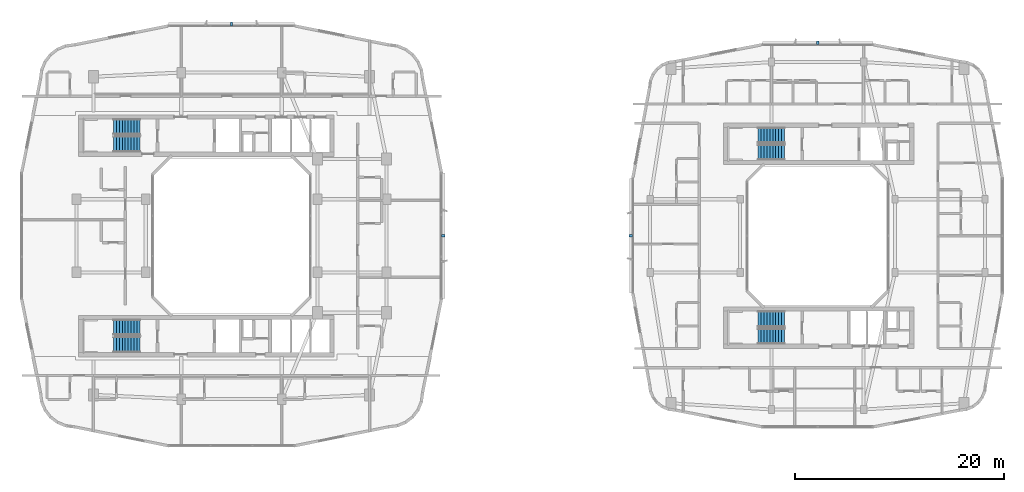
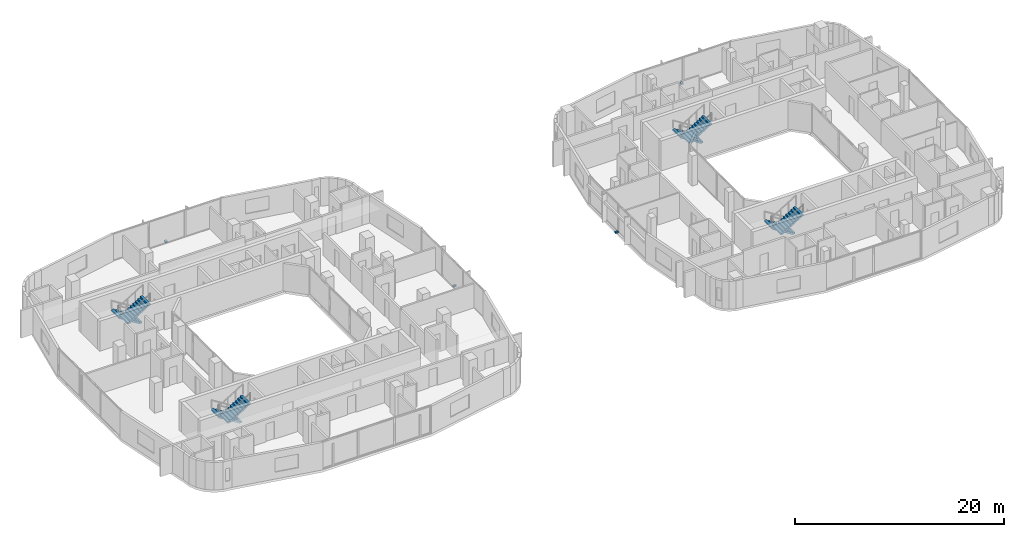
# One storey, part 21 of 26: 8 stair flights, 4 discrete accessories, 4 elements without a shape of their own.
"""IFC4 building model written with IfcOpenShell, lengths in metres."""

from ifc_helpers import new_model, si_unit, derived_unit, direction, frame, origin, origin_2d, place, context, subcontext, project, spatial, polyline, rectangle, outline, extrude, material, type_object, element, aggregate, save


model = new_model("IFC4")

# Units and contexts
model_context = context("Model", 3, precision=1e-05, world=origin(), true_north=direction((0.0, 1.0)))
body_context = subcontext(model_context, "Body", "Model", "MODEL_VIEW")
ifc_project = project(units=[si_unit("LENGTHUNIT", "METRE"), si_unit("AREAUNIT", "SQUARE_METRE"), si_unit("VOLUMEUNIT", "CUBIC_METRE"), si_unit("PLANEANGLEUNIT", "RADIAN"), si_unit("MASSUNIT", "GRAM", prefix="KILO"), derived_unit("THERMALTRANSMITTANCEUNIT", [(si_unit("POWERUNIT", "WATT"), 1), (si_unit("LENGTHUNIT", "METRE"), -2), (si_unit("THERMODYNAMICTEMPERATUREUNIT", "KELVIN"), -1)])], contexts=[model_context])

# Site, building, storey
site_placement = place(None, origin())
site = spatial("IfcSite", under=ifc_project, at=site_placement, CompositionType="ELEMENT")
building_placement = place(site_placement, origin())
building = spatial("IfcBuilding", under=site, at=building_placement, Name="Kivonza Crest Hotel", CompositionType="ELEMENT")
storey_placement = place(building_placement, frame((0.0, 0.0, 102.0)))
storey = spatial("IfcBuildingStorey", under=building, at=storey_placement, Name="L27", CompositionType="ELEMENT", Elevation=102.0)

# Stair, stair flights
ifc_material_1 = material(Name="Concrete C40/50", Category="concrete")
stair_type = type_object("IfcStairType", Name="ST-DL-20R", PredefinedType="HALF_TURN_STAIR", material=ifc_material_1)
stair_1_placement = place(storey_placement, origin())
stair_1 = element("IfcStair", 1, at=stair_1_placement, inside=storey, type_object=stair_type, Name="L27 Protected Exit Stair ST-T1-N", PredefinedType="HALF_TURN_STAIR")
stair_flight_type = type_object("IfcStairFlightType", Name="SFL-RC-10R", PredefinedType="STRAIGHT", material=ifc_material_1)
stair_flight_1_placement = place(storey_placement, frame((12.239990234375, 35.409912109375, 0.0), z_axis=(0.0, 0.0, 1.0), x_axis=(-1.0, 0.0, 0.0)))
stair_flight_1 = element("IfcStairFlight", 2, at=stair_flight_1_placement, type_object=stair_flight_type, Name="ST-T1-N flight 1", NumberOfRisers=10, NumberOfTreads=9, PredefinedType="STRAIGHT", RiserHeight=0.175, TreadLength=0.28, context=body_context, shape_type="SweptSolid", body=[
    extrude(outline(polyline([(0.0, 0.0), (0.0, 0.175048828125), (0.280029296875, 0.175048828125), (0.280029296875, 0.35009765625), (0.56005859375, 0.35009765625), (0.56005859375, 0.52490234375), (0.840087890625, 0.52490234375), (0.840087890625, 0.699951171875), (1.1201171875, 0.699951171875), (1.1201171875, 0.875), (1.39990234375, 0.875), (1.39990234375, 1.050048828125), (1.679931640625, 1.050048828125), (1.679931640625, 1.22509765625), (1.9599609375, 1.22509765625), (1.9599609375, 1.39990234375), (2.239990234375, 1.39990234375), (2.239990234375, 1.574951171875), (2.52001953125, 1.574951171875), (2.52001953125, 1.75), (2.52001953125, 1.398193359375), (0.28271484375, 0.0), (0.0, 0.0)])), frame((0.0, 0.75, 0.0), z_axis=(0.0, -1.0, 0.0), x_axis=(1.0, 0.0, 0.0)), (0.0, 0.0, 1.0), 1.5),
])
stair_flight_2_placement = place(storey_placement, frame((9.719970703125, 33.77001953125, 1.75), z_axis=(0.0, 0.0, 1.0), x_axis=(1.0, 0.0, 0.0)))
stair_flight_2 = element("IfcStairFlight", 3, at=stair_flight_2_placement, type_object=stair_flight_type, Name="ST-T1-N flight 2", NumberOfRisers=10, NumberOfTreads=9, PredefinedType="STRAIGHT", RiserHeight=0.175, TreadLength=0.28, context=body_context, shape_type="SweptSolid", body=[
    extrude(outline(polyline([(0.0, 0.0), (0.0, 0.175048828125), (0.280029296875, 0.175048828125), (0.280029296875, 0.35009765625), (0.56005859375, 0.35009765625), (0.56005859375, 0.52490234375), (0.840087890625, 0.52490234375), (0.840087890625, 0.699951171875), (1.1201171875, 0.699951171875), (1.1201171875, 0.875), (1.39990234375, 0.875), (1.39990234375, 1.050048828125), (1.679931640625, 1.050048828125), (1.679931640625, 1.22509765625), (1.9599609375, 1.22509765625), (1.9599609375, 1.39990234375), (2.239990234375, 1.39990234375), (2.239990234375, 1.574951171875), (2.52001953125, 1.574951171875), (2.52001953125, 1.75), (2.52001953125, 1.398193359375), (0.28271484375, 0.0), (0.0, 0.0)])), frame((0.0, 0.75, 0.0), z_axis=(0.0, -1.0, 0.0), x_axis=(1.0, 0.0, 0.0)), (0.0, 0.0, 1.0), 1.5),
])
aggregate(stair_1, [stair_flight_1, stair_flight_2])

stair_2_placement = place(storey_placement, origin())
stair_2 = element("IfcStair", 4, at=stair_2_placement, inside=storey, type_object=stair_type, Name="L27 Protected Exit Stair ST-T1-S", PredefinedType="HALF_TURN_STAIR")
stair_flight_3_placement = place(storey_placement, frame((12.239990234375, 16.25, 0.0), z_axis=(0.0, 0.0, 1.0), x_axis=(-1.0, 0.0, 0.0)))
stair_flight_3 = element("IfcStairFlight", 5, at=stair_flight_3_placement, type_object=stair_flight_type, Name="ST-T1-S flight 1", NumberOfRisers=10, NumberOfTreads=9, PredefinedType="STRAIGHT", RiserHeight=0.175, TreadLength=0.28, context=body_context, shape_type="SweptSolid", body=[
    extrude(outline(polyline([(0.0, 0.0), (0.0, 0.175048828125), (0.280029296875, 0.175048828125), (0.280029296875, 0.35009765625), (0.56005859375, 0.35009765625), (0.56005859375, 0.52490234375), (0.840087890625, 0.52490234375), (0.840087890625, 0.699951171875), (1.1201171875, 0.699951171875), (1.1201171875, 0.875), (1.39990234375, 0.875), (1.39990234375, 1.050048828125), (1.679931640625, 1.050048828125), (1.679931640625, 1.22509765625), (1.9599609375, 1.22509765625), (1.9599609375, 1.39990234375), (2.239990234375, 1.39990234375), (2.239990234375, 1.574951171875), (2.52001953125, 1.574951171875), (2.52001953125, 1.75), (2.52001953125, 1.398193359375), (0.28271484375, 0.0), (0.0, 0.0)])), frame((0.0, 0.75, 0.0), z_axis=(0.0, -1.0, 0.0), x_axis=(1.0, 0.0, 0.0)), (0.0, 0.0, 1.0), 1.5),
])
stair_flight_4_placement = place(storey_placement, frame((9.719970703125, 14.610107421875, 1.75), z_axis=(0.0, 0.0, 1.0), x_axis=(1.0, 0.0, 0.0)))
stair_flight_4 = element("IfcStairFlight", 6, at=stair_flight_4_placement, type_object=stair_flight_type, Name="ST-T1-S flight 2", NumberOfRisers=10, NumberOfTreads=9, PredefinedType="STRAIGHT", RiserHeight=0.175, TreadLength=0.28, context=body_context, shape_type="SweptSolid", body=[
    extrude(outline(polyline([(0.0, 0.0), (0.0, 0.175048828125), (0.280029296875, 0.175048828125), (0.280029296875, 0.35009765625), (0.56005859375, 0.35009765625), (0.56005859375, 0.52490234375), (0.840087890625, 0.52490234375), (0.840087890625, 0.699951171875), (1.1201171875, 0.699951171875), (1.1201171875, 0.875), (1.39990234375, 0.875), (1.39990234375, 1.050048828125), (1.679931640625, 1.050048828125), (1.679931640625, 1.22509765625), (1.9599609375, 1.22509765625), (1.9599609375, 1.39990234375), (2.239990234375, 1.39990234375), (2.239990234375, 1.574951171875), (2.52001953125, 1.574951171875), (2.52001953125, 1.75), (2.52001953125, 1.398193359375), (0.28271484375, 0.0), (0.0, 0.0)])), frame((0.0, 0.75, 0.0), z_axis=(0.0, -1.0, 0.0), x_axis=(1.0, 0.0, 0.0)), (0.0, 0.0, 1.0), 1.5),
])
aggregate(stair_2, [stair_flight_3, stair_flight_4])

stair_3_placement = place(storey_placement, origin())
stair_3 = element("IfcStair", 7, at=stair_3_placement, inside=storey, type_object=stair_type, Name="L27 Protected Exit Stair ST-T2-N", PredefinedType="HALF_TURN_STAIR")
stair_flight_5_placement = place(storey_placement, frame((73.840087890625, 34.610107421875, 0.0), z_axis=(0.0, 0.0, 1.0), x_axis=(-1.0, 0.0, 0.0)))
stair_flight_5 = element("IfcStairFlight", 8, at=stair_flight_5_placement, type_object=stair_flight_type, Name="ST-T2-N flight 1", NumberOfRisers=10, NumberOfTreads=9, PredefinedType="STRAIGHT", RiserHeight=0.175, TreadLength=0.28, context=body_context, shape_type="SweptSolid", body=[
    extrude(outline(polyline([(0.0, 0.0), (0.0, 0.175048828125), (0.280029296875, 0.175048828125), (0.280029296875, 0.35009765625), (0.56005859375, 0.35009765625), (0.56005859375, 0.52490234375), (0.840087890625, 0.52490234375), (0.840087890625, 0.699951171875), (1.1201171875, 0.699951171875), (1.1201171875, 0.875), (1.39990234375, 0.875), (1.39990234375, 1.050048828125), (1.679931640625, 1.050048828125), (1.679931640625, 1.22509765625), (1.9599609375, 1.22509765625), (1.9599609375, 1.39990234375), (2.239990234375, 1.39990234375), (2.239990234375, 1.574951171875), (2.52001953125, 1.574951171875), (2.52001953125, 1.75), (2.52001953125, 1.398193359375), (0.28271484375, 0.0), (0.0, 0.0)])), frame((0.0, 0.75, 0.0), z_axis=(0.0, -1.0, 0.0), x_axis=(1.0, 0.0, 0.0)), (0.0, 0.0, 1.0), 1.5),
])
stair_flight_6_placement = place(storey_placement, frame((71.320068359375, 32.969970703125, 1.75), z_axis=(0.0, 0.0, 1.0), x_axis=(1.0, 0.0, 0.0)))
stair_flight_6 = element("IfcStairFlight", 9, at=stair_flight_6_placement, type_object=stair_flight_type, Name="ST-T2-N flight 2", NumberOfRisers=10, NumberOfTreads=9, PredefinedType="STRAIGHT", RiserHeight=0.175, TreadLength=0.28, context=body_context, shape_type="SweptSolid", body=[
    extrude(outline(polyline([(0.0, 0.0), (0.0, 0.175048828125), (0.280029296875, 0.175048828125), (0.280029296875, 0.35009765625), (0.56005859375, 0.35009765625), (0.56005859375, 0.52490234375), (0.840087890625, 0.52490234375), (0.840087890625, 0.699951171875), (1.1201171875, 0.699951171875), (1.1201171875, 0.875), (1.39990234375, 0.875), (1.39990234375, 1.050048828125), (1.679931640625, 1.050048828125), (1.679931640625, 1.22509765625), (1.9599609375, 1.22509765625), (1.9599609375, 1.39990234375), (2.239990234375, 1.39990234375), (2.239990234375, 1.574951171875), (2.52001953125, 1.574951171875), (2.52001953125, 1.75), (2.52001953125, 1.398193359375), (0.28271484375, 0.0), (0.0, 0.0)])), frame((0.0, 0.75, 0.0), z_axis=(0.0, -1.0, 0.0), x_axis=(1.0, 0.0, 0.0)), (0.0, 0.0, 1.0), 1.5),
])
aggregate(stair_3, [stair_flight_5, stair_flight_6])

stair_4_placement = place(storey_placement, origin())
stair_4 = element("IfcStair", 10, at=stair_4_placement, inside=storey, type_object=stair_type, Name="L27 Protected Exit Stair ST-T2-S", PredefinedType="HALF_TURN_STAIR")
stair_flight_7_placement = place(storey_placement, frame((73.840087890625, 17.050048828125, 0.0), z_axis=(0.0, 0.0, 1.0), x_axis=(-1.0, 0.0, 0.0)))
stair_flight_7 = element("IfcStairFlight", 11, at=stair_flight_7_placement, type_object=stair_flight_type, Name="ST-T2-S flight 1", NumberOfRisers=10, NumberOfTreads=9, PredefinedType="STRAIGHT", RiserHeight=0.175, TreadLength=0.28, context=body_context, shape_type="SweptSolid", body=[
    extrude(outline(polyline([(0.0, 0.0), (0.0, 0.175048828125), (0.280029296875, 0.175048828125), (0.280029296875, 0.35009765625), (0.56005859375, 0.35009765625), (0.56005859375, 0.52490234375), (0.840087890625, 0.52490234375), (0.840087890625, 0.699951171875), (1.1201171875, 0.699951171875), (1.1201171875, 0.875), (1.39990234375, 0.875), (1.39990234375, 1.050048828125), (1.679931640625, 1.050048828125), (1.679931640625, 1.22509765625), (1.9599609375, 1.22509765625), (1.9599609375, 1.39990234375), (2.239990234375, 1.39990234375), (2.239990234375, 1.574951171875), (2.52001953125, 1.574951171875), (2.52001953125, 1.75), (2.52001953125, 1.398193359375), (0.28271484375, 0.0), (0.0, 0.0)])), frame((0.0, 0.75, 0.0), z_axis=(0.0, -1.0, 0.0), x_axis=(1.0, 0.0, 0.0)), (0.0, 0.0, 1.0), 1.5),
])
stair_flight_8_placement = place(storey_placement, frame((71.320068359375, 15.409912109375, 1.75), z_axis=(0.0, 0.0, 1.0), x_axis=(1.0, 0.0, 0.0)))
stair_flight_8 = element("IfcStairFlight", 12, at=stair_flight_8_placement, type_object=stair_flight_type, Name="ST-T2-S flight 2", NumberOfRisers=10, NumberOfTreads=9, PredefinedType="STRAIGHT", RiserHeight=0.175, TreadLength=0.28, context=body_context, shape_type="SweptSolid", body=[
    extrude(outline(polyline([(0.0, 0.0), (0.0, 0.175048828125), (0.280029296875, 0.175048828125), (0.280029296875, 0.35009765625), (0.56005859375, 0.35009765625), (0.56005859375, 0.52490234375), (0.840087890625, 0.52490234375), (0.840087890625, 0.699951171875), (1.1201171875, 0.699951171875), (1.1201171875, 0.875), (1.39990234375, 0.875), (1.39990234375, 1.050048828125), (1.679931640625, 1.050048828125), (1.679931640625, 1.22509765625), (1.9599609375, 1.22509765625), (1.9599609375, 1.39990234375), (2.239990234375, 1.39990234375), (2.239990234375, 1.574951171875), (2.52001953125, 1.574951171875), (2.52001953125, 1.75), (2.52001953125, 1.398193359375), (0.28271484375, 0.0), (0.0, 0.0)])), frame((0.0, 0.75, 0.0), z_axis=(0.0, -1.0, 0.0), x_axis=(1.0, 0.0, 0.0)), (0.0, 0.0, 1.0), 1.5),
])
aggregate(stair_4, [stair_flight_7, stair_flight_8])

# Discrete accessories
ifc_material_2 = material(Name="Stainless steel 316", Category="steel")
discrete_accessory_type = type_object("IfcDiscreteAccessoryType", Name="AC-BRACKET-240", PredefinedType="BRACKET", material=ifc_material_2)
for number, where, z_axis, x_axis, name in (
    (13, (41.239990234375, 25.0, -0.009765625), (0.0, 0.0, 1.0), (0.0, 1.0, 0.0), "L27 terracotta baguette support bracket CW-T1-L27-17"),
    (14, (21.0, 45.239990234375, -0.009765625), (0.0, 0.0, 1.0), (-1.0, 0.0, 0.0), "L27 terracotta baguette support bracket CW-T1-L27-26"),
    (15, (77.0, 43.43994140625, -0.009765625), (0.0, 0.0, 1.0), (-1.0, 0.0, 0.0), "L27 terracotta baguette support bracket CW-T2-L27-26"),
    (16, (59.159912109375, 25.0, -0.009765625), (0.0, 0.0, 1.0), (0.0, -1.0, 0.0), "L27 terracotta baguette support bracket CW-T2-L27-35"),
):
    element("IfcDiscreteAccessory", number, at=place(storey_placement, frame(where, z_axis=z_axis, x_axis=x_axis)), inside=storey, type_object=discrete_accessory_type, Name=name, PredefinedType="BRACKET", context=body_context, shape_type="SweptSolid", body=[
        extrude(rectangle(XDim=0.219970703125, YDim=0.340087890625, at=origin_2d()), origin(), (0.0, 0.0, 1.0), 0.179931640625),
    ])

save(model, "model.ifc")
